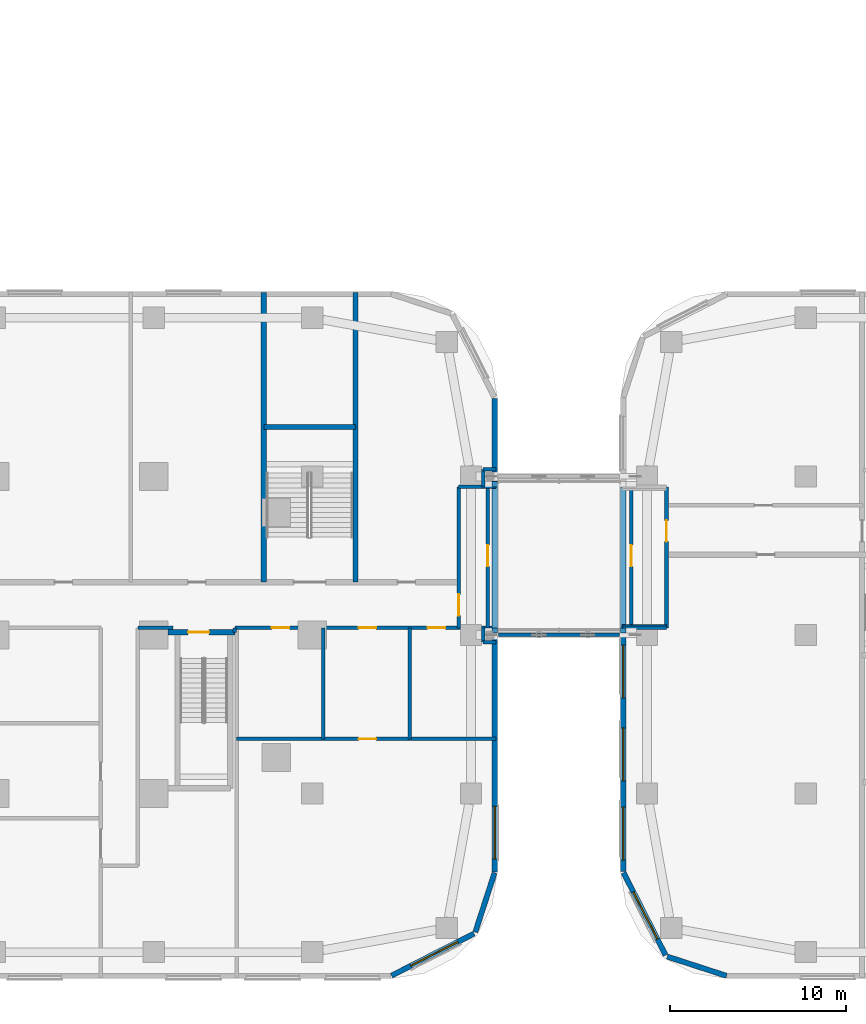
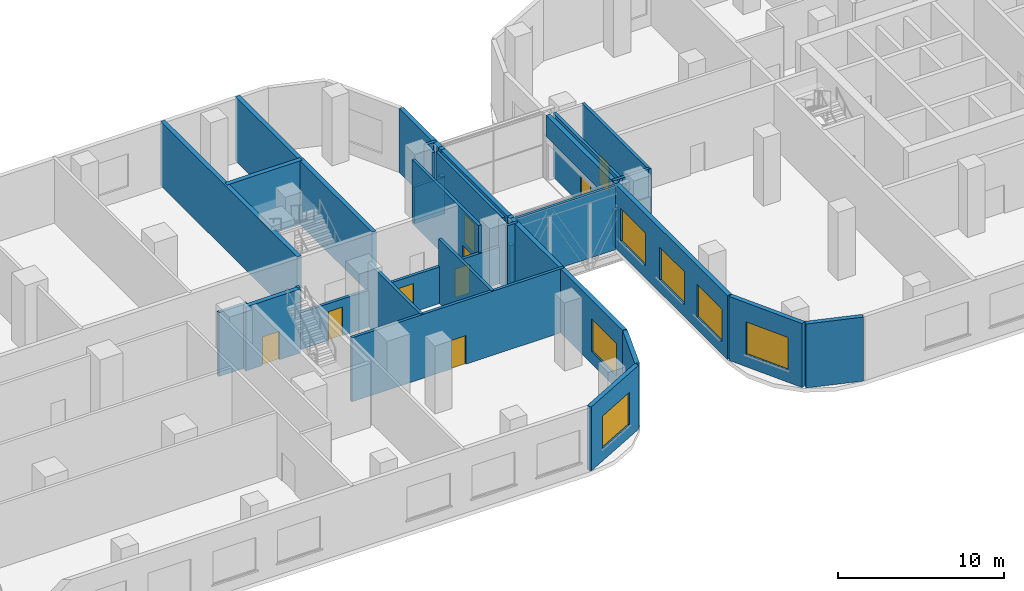
# One storey, part 11 of 35: 37 walls, 9 doors, 6 windows, 15 openings.
"""IFC4 building model written with IfcOpenShell, lengths in metres."""

from ifc_helpers import new_model, si_unit, direction, frame, frame_2d, origin, place, context, subcontext, project, spatial, rectangle, extrude, material, layer, layer_set, type_object, element, fill, save


model = new_model("IFC4")

# Units and contexts
model_context = context("Model", 3, precision=1e-05, world=origin(), true_north=direction((0.0, 1.0)))
body_context = subcontext(model_context, "Body", "Model", "MODEL_VIEW")
ifc_project = project(units=[si_unit("LENGTHUNIT", "METRE"), si_unit("AREAUNIT", "SQUARE_METRE"), si_unit("VOLUMEUNIT", "CUBIC_METRE"), si_unit("PLANEANGLEUNIT", "RADIAN"), si_unit("MASSUNIT", "GRAM", prefix="KILO")], contexts=[model_context])

# Site, building, storey
site_placement = place(None, origin())
site = spatial("IfcSite", under=ifc_project, at=site_placement, CompositionType="ELEMENT")
building_placement = place(site_placement, origin())
building = spatial("IfcBuilding", under=site, at=building_placement, Name="Ogive Portal Towers", CompositionType="ELEMENT")
storey_placement = place(building_placement, frame((0.0, 0.0, 18.5)))
storey = spatial("IfcBuildingStorey", under=building, at=storey_placement, Name="L03", CompositionType="ELEMENT", Elevation=18.5)

# Wall, opening, window
ifc_material_1 = material(Name="Limestone cladding on lightweight block wall", Category="masonry")
ifc_layer_1 = layer(ifc_material_1, 0.300048828125)
ifc_layer_set_1 = layer_set([ifc_layer_1], Name="EXTERNAL WALL 300 STONE")
wall_type_1 = type_object("IfcWallType", Name="EXTERNAL WALL 300 STONE", PredefinedType="SOLIDWALL", material=ifc_layer_set_1)
wall_1_placement = place(storey_placement, frame((98.99609375, 11.166259765625, 0.0), z_axis=(0.0, 0.0, 1.0), x_axis=(0.890998339455, 0.454006562826, 0.0)))
wall_1 = element("IfcWall", 1, at=wall_1_placement, inside=storey, type_object=wall_type_1, Name="A:L03:f03:w0", PredefinedType="SOLIDWALL", context=body_context, shape_type="SweptSolid", body=[
    extrude(rectangle(XDim=5.251708984375, YDim=0.300048828125, at=frame_2d((2.6259765625, 0.0))), origin(), (0.0, 0.0, 1.0), 4.699951171875),
])
opening_1_placement = place(wall_1_placement, frame((1.223876953125, 0.0, 0.89990234375)))
opening_1 = element("IfcOpeningElement", 2, at=opening_1_placement, cuts=wall_1, Name="Opening WN3", PredefinedType="OPENING", context=body_context, shape_type="SweptSolid", body=[
    extrude(rectangle(XDim=3.0, YDim=2.39990234375, at=frame_2d((1.5, 1.199951171875))), frame((0.0, 0.16015625, 0.0), z_axis=(0.0, -1.0, 0.0), x_axis=(1.0, 0.0, 0.0)), (0.0, 0.0, 1.0), 0.320068359375),
])
ifc_material_2 = material(Name="Glass, clear low-iron insulated glazing", Category="glass")
window_type = type_object("IfcWindowType", Name="WINDOW PODIUM 3000x2400", PartitioningType="SINGLE_PANEL", PredefinedType="WINDOW", material=ifc_material_2)
window_1_placement = place(opening_1_placement, origin())
window_1 = element("IfcWindow", 3, at=window_1_placement, inside=storey, type_object=window_type, Name="A:L03:f03:w0:o0", OverallHeight=2.39990234375, OverallWidth=3.0, PartitioningType="SINGLE_PANEL", PredefinedType="WINDOW", context=body_context, shape_type="SweptSolid", body=[
    extrude(rectangle(XDim=3.0, YDim=2.39990234375, at=frame_2d((1.5, 1.199951171875))), frame((0.0, 0.030029296875, 0.0), z_axis=(0.0, -1.0, 0.0), x_axis=(1.0, 0.0, 0.0)), (0.0, 0.0, 1.0), 0.06005859375),
])
fill(opening_1, window_1)

# Walls
wall_2_placement = place(storey_placement, frame((103.749755859375, 13.637939453125, 0.0), z_axis=(0.0, 0.0, 1.0), x_axis=(0.309073584194, 0.951038127287, 0.0)))
element("IfcWall", 4, at=wall_2_placement, inside=storey, type_object=wall_type_1, Name="A:L03:f04:w0", PredefinedType="SOLIDWALL", context=body_context, shape_type="SweptSolid", body=[
    extrude(rectangle(XDim=3.536376953125, YDim=0.300048828125, at=frame_2d((1.76806640625, 0.0))), origin(), (0.0, 0.0, 1.0), 4.699951171875),
])
wall_3_placement = place(storey_placement, frame((104.85009765625, 30.89990234375, 3.14990234375), z_axis=(0.0, 0.0, 1.0), x_axis=(0.0, 1.0, 0.0)))
element("IfcWall", 5, at=wall_3_placement, inside=storey, type_object=wall_type_1, Name="A:L03:f05:lt", PredefinedType="SOLIDWALL", context=body_context, shape_type="SweptSolid", body=[
    extrude(rectangle(XDim=8.0, YDim=0.300048828125, at=frame_2d((4.0, 0.0))), origin(), (0.0, 0.0, 1.0), 1.550048828125),
])

# Wall, opening, window
wall_4_placement = place(storey_placement, frame((104.85009765625, 17.047607421875, 0.0), z_axis=(0.0, 0.0, 1.0), x_axis=(0.0, 1.0, 0.0)))
wall_4 = element("IfcWall", 6, at=wall_4_placement, inside=storey, type_object=wall_type_1, Name="A:L03:f05:w0", PredefinedType="SOLIDWALL", context=body_context, shape_type="SweptSolid", body=[
    extrude(rectangle(XDim=13.552490234375, YDim=0.300048828125, at=frame_2d((6.7763671875, 0.0))), origin(), (0.0, 0.0, 1.0), 4.699951171875),
])
opening_2_placement = place(wall_4_placement, frame((0.726318359375, 0.0, 0.89990234375)))
opening_2 = element("IfcOpeningElement", 7, at=opening_2_placement, cuts=wall_4, Name="Opening WN3", PredefinedType="OPENING", context=body_context, shape_type="SweptSolid", body=[
    extrude(rectangle(XDim=3.0, YDim=2.39990234375, at=frame_2d((1.5, 1.199951171875))), frame((0.0, 0.16015625, 0.0), z_axis=(0.0, -1.0, 0.0), x_axis=(1.0, 0.0, 0.0)), (0.0, 0.0, 1.0), 0.320068359375),
])
window_2_placement = place(opening_2_placement, origin())
window_2 = element("IfcWindow", 8, at=window_2_placement, inside=storey, type_object=window_type, Name="A:L03:f05:w0:o0", OverallHeight=2.39990234375, OverallWidth=3.0, PartitioningType="SINGLE_PANEL", PredefinedType="WINDOW", context=body_context, shape_type="SweptSolid", body=[
    extrude(rectangle(XDim=3.0, YDim=2.39990234375, at=frame_2d((1.5, 1.199951171875))), frame((0.0, 0.030029296875, 0.0), z_axis=(0.0, -1.0, 0.0), x_axis=(1.0, 0.0, 0.0)), (0.0, 0.0, 1.0), 0.06005859375),
])
fill(opening_2, window_2)

# Wall
wall_5_placement = place(storey_placement, frame((104.85009765625, 39.199951171875, 0.0), z_axis=(0.0, 0.0, 1.0), x_axis=(0.0, 1.0, 0.0)))
element("IfcWall", 9, at=wall_5_placement, inside=storey, type_object=wall_type_1, Name="A:L03:f05:w1", PredefinedType="SOLIDWALL", context=body_context, shape_type="SweptSolid", body=[
    extrude(rectangle(XDim=4.72802734375, YDim=0.300048828125, at=frame_2d((2.364013671875, 0.0))), origin(), (0.0, 0.0, 1.0), 4.699951171875),
])

# Wall, opening, window
wall_6_placement = place(storey_placement, frame((112.166259765625, 17.00390625, 0.0), z_axis=(0.0, 0.0, 1.0), x_axis=(0.454006562826, -0.890998339455, 0.0)))
wall_6 = element("IfcWall", 10, at=wall_6_placement, inside=storey, type_object=wall_type_1, Name="B:L03:f00:w0", PredefinedType="SOLIDWALL", context=body_context, shape_type="SweptSolid", body=[
    extrude(rectangle(XDim=5.251708984375, YDim=0.300048828125, at=frame_2d((2.6259765625, 0.0))), origin(), (0.0, 0.0, 1.0), 4.699951171875),
])
opening_3_placement = place(wall_6_placement, frame((1.223876953125, 0.0, 0.89990234375)))
opening_3 = element("IfcOpeningElement", 11, at=opening_3_placement, cuts=wall_6, Name="Opening WN3", PredefinedType="OPENING", context=body_context, shape_type="SweptSolid", body=[
    extrude(rectangle(XDim=3.0, YDim=2.39990234375, at=frame_2d((1.5, 1.199951171875))), frame((0.0, 0.16015625, 0.0), z_axis=(0.0, -1.0, 0.0), x_axis=(1.0, 0.0, 0.0)), (0.0, 0.0, 1.0), 0.320068359375),
])
window_3_placement = place(opening_3_placement, origin())
window_3 = element("IfcWindow", 12, at=window_3_placement, inside=storey, type_object=window_type, Name="B:L03:f00:w0:o0", OverallHeight=2.39990234375, OverallWidth=3.0, PartitioningType="SINGLE_PANEL", PredefinedType="WINDOW", context=body_context, shape_type="SweptSolid", body=[
    extrude(rectangle(XDim=3.0, YDim=2.39990234375, at=frame_2d((1.5, 1.199951171875))), frame((0.0, 0.030029296875, 0.0), z_axis=(0.0, -1.0, 0.0), x_axis=(1.0, 0.0, 0.0)), (0.0, 0.0, 1.0), 0.06005859375),
])
fill(opening_3, window_3)

# Walls
wall_7_placement = place(storey_placement, frame((114.637939453125, 12.250244140625, 0.0), z_axis=(0.0, 0.0, 1.0), x_axis=(0.951038127287, -0.309073584194, 0.0)))
element("IfcWall", 13, at=wall_7_placement, inside=storey, type_object=wall_type_1, Name="B:L03:f01:w0", PredefinedType="SOLIDWALL", context=body_context, shape_type="SweptSolid", body=[
    extrude(rectangle(XDim=3.536376953125, YDim=0.300048828125, at=frame_2d((1.76806640625, 0.0))), origin(), (0.0, 0.0, 1.0), 4.699951171875),
])
wall_8_placement = place(storey_placement, frame((112.14990234375, 38.89990234375, 3.14990234375), z_axis=(0.0, 0.0, 1.0), x_axis=(0.0, -1.0, 0.0)))
element("IfcWall", 14, at=wall_8_placement, inside=storey, type_object=wall_type_1, Name="B:L03:f11:lt", PredefinedType="SOLIDWALL", context=body_context, shape_type="SweptSolid", body=[
    extrude(rectangle(XDim=8.0, YDim=0.300048828125, at=frame_2d((4.0, 0.0))), origin(), (0.0, 0.0, 1.0), 1.550048828125),
])

# Wall, openings, windows
wall_9_placement = place(storey_placement, frame((112.14990234375, 30.60009765625, 0.0), z_axis=(0.0, 0.0, 1.0), x_axis=(0.0, -1.0, 0.0)))
wall_9 = element("IfcWall", 15, at=wall_9_placement, inside=storey, type_object=wall_type_1, Name="B:L03:f11:w1", PredefinedType="SOLIDWALL", context=body_context, shape_type="SweptSolid", body=[
    extrude(rectangle(XDim=13.528076171875, YDim=0.300048828125, at=frame_2d((6.76416015625, 0.0))), origin(), (0.0, 0.0, 1.0), 4.699951171875),
])
opening_4_placement = place(wall_9_placement, frame((0.67626953125, 0.0, 0.89990234375)))
opening_4 = element("IfcOpeningElement", 16, at=opening_4_placement, cuts=wall_9, Name="Opening WN3", PredefinedType="OPENING", context=body_context, shape_type="SweptSolid", body=[
    extrude(rectangle(XDim=3.0, YDim=2.39990234375, at=frame_2d((1.5, 1.199951171875))), frame((0.0, 0.16015625, 0.0), z_axis=(0.0, -1.0, 0.0), x_axis=(1.0, 0.0, 0.0)), (0.0, 0.0, 1.0), 0.320068359375),
])
opening_5_placement = place(wall_9_placement, frame((5.376220703125, 0.0, 0.89990234375)))
opening_5 = element("IfcOpeningElement", 17, at=opening_5_placement, cuts=wall_9, Name="Opening WN3", PredefinedType="OPENING", context=body_context, shape_type="SweptSolid", body=[
    extrude(rectangle(XDim=3.0, YDim=2.39990234375, at=frame_2d((1.5, 1.199951171875))), frame((0.0, 0.16015625, 0.0), z_axis=(0.0, -1.0, 0.0), x_axis=(1.0, 0.0, 0.0)), (0.0, 0.0, 1.0), 0.320068359375),
])
opening_6_placement = place(wall_9_placement, frame((9.876220703125, 0.0, 0.89990234375)))
opening_6 = element("IfcOpeningElement", 18, at=opening_6_placement, cuts=wall_9, Name="Opening WN3", PredefinedType="OPENING", context=body_context, shape_type="SweptSolid", body=[
    extrude(rectangle(XDim=3.0, YDim=2.39990234375, at=frame_2d((1.5, 1.199951171875))), frame((0.0, 0.16015625, 0.0), z_axis=(0.0, -1.0, 0.0), x_axis=(1.0, 0.0, 0.0)), (0.0, 0.0, 1.0), 0.320068359375),
])
window_4_placement = place(opening_4_placement, origin())
window_4 = element("IfcWindow", 19, at=window_4_placement, inside=storey, type_object=window_type, Name="B:L03:f11:w1:o0", OverallHeight=2.39990234375, OverallWidth=3.0, PartitioningType="SINGLE_PANEL", PredefinedType="WINDOW", context=body_context, shape_type="SweptSolid", body=[
    extrude(rectangle(XDim=3.0, YDim=2.39990234375, at=frame_2d((1.5, 1.199951171875))), frame((0.0, 0.030029296875, 0.0), z_axis=(0.0, -1.0, 0.0), x_axis=(1.0, 0.0, 0.0)), (0.0, 0.0, 1.0), 0.06005859375),
])
fill(opening_4, window_4)
window_5_placement = place(opening_5_placement, origin())
window_5 = element("IfcWindow", 20, at=window_5_placement, inside=storey, type_object=window_type, Name="B:L03:f11:w1:o1a", OverallHeight=2.39990234375, OverallWidth=3.0, PartitioningType="SINGLE_PANEL", PredefinedType="WINDOW", context=body_context, shape_type="SweptSolid", body=[
    extrude(rectangle(XDim=3.0, YDim=2.39990234375, at=frame_2d((1.5, 1.199951171875))), frame((0.0, 0.030029296875, 0.0), z_axis=(0.0, -1.0, 0.0), x_axis=(1.0, 0.0, 0.0)), (0.0, 0.0, 1.0), 0.06005859375),
])
fill(opening_5, window_5)
window_6_placement = place(opening_6_placement, origin())
window_6 = element("IfcWindow", 21, at=window_6_placement, inside=storey, type_object=window_type, Name="B:L03:f11:w1:o1b", OverallHeight=2.39990234375, OverallWidth=3.0, PartitioningType="SINGLE_PANEL", PredefinedType="WINDOW", context=body_context, shape_type="SweptSolid", body=[
    extrude(rectangle(XDim=3.0, YDim=2.39990234375, at=frame_2d((1.5, 1.199951171875))), frame((0.0, 0.030029296875, 0.0), z_axis=(0.0, -1.0, 0.0), x_axis=(1.0, 0.0, 0.0)), (0.0, 0.0, 1.0), 0.06005859375),
])
fill(opening_6, window_6)

# Walls
wall_10_placement = place(storey_placement, frame((104.85009765625, 30.60009765625, 0.0), z_axis=(0.0, 0.0, 1.0), x_axis=(0.0, 1.0, 0.0)))
element("IfcWall", 22, at=wall_10_placement, inside=storey, type_object=wall_type_1, Name="Pier return", PredefinedType="SOLIDWALL", context=body_context, shape_type="SweptSolid", body=[
    extrude(rectangle(XDim=0.2998046875, YDim=0.300048828125, at=frame_2d((0.14990234375, 0.0))), origin(), (0.0, 0.0, 1.0), 2.699951171875),
])
wall_11_placement = place(storey_placement, frame((104.85009765625, 30.60009765625, 3.14990234375), z_axis=(0.0, 0.0, 1.0), x_axis=(0.0, 1.0, 0.0)))
element("IfcWall", 23, at=wall_11_placement, inside=storey, type_object=wall_type_1, Name="Pier return", PredefinedType="SOLIDWALL", context=body_context, shape_type="SweptSolid", body=[
    extrude(rectangle(XDim=0.2998046875, YDim=0.300048828125, at=frame_2d((0.14990234375, 0.0))), origin(), (0.0, 0.0, 1.0), 1.550048828125),
])
wall_12_placement = place(storey_placement, frame((104.85009765625, 39.199951171875, 0.0), z_axis=(0.0, 0.0, 1.0), x_axis=(0.0, -1.0, 0.0)))
element("IfcWall", 24, at=wall_12_placement, inside=storey, type_object=wall_type_1, Name="Pier return", PredefinedType="SOLIDWALL", context=body_context, shape_type="SweptSolid", body=[
    extrude(rectangle(XDim=0.300048828125, YDim=0.300048828125, at=frame_2d((0.14990234375, 0.0))), origin(), (0.0, 0.0, 1.0), 2.699951171875),
])
wall_13_placement = place(storey_placement, frame((104.85009765625, 39.199951171875, 3.14990234375), z_axis=(0.0, 0.0, 1.0), x_axis=(0.0, -1.0, 0.0)))
element("IfcWall", 25, at=wall_13_placement, inside=storey, type_object=wall_type_1, Name="Pier return", PredefinedType="SOLIDWALL", context=body_context, shape_type="SweptSolid", body=[
    extrude(rectangle(XDim=0.300048828125, YDim=0.300048828125, at=frame_2d((0.14990234375, 0.0))), origin(), (0.0, 0.0, 1.0), 1.550048828125),
])
wall_14_placement = place(storey_placement, frame((112.14990234375, 30.60009765625, 0.0), z_axis=(0.0, 0.0, 1.0), x_axis=(0.0, 1.0, 0.0)))
element("IfcWall", 26, at=wall_14_placement, inside=storey, type_object=wall_type_1, Name="Pier return", PredefinedType="SOLIDWALL", context=body_context, shape_type="SweptSolid", body=[
    extrude(rectangle(XDim=0.2998046875, YDim=0.300048828125, at=frame_2d((0.14990234375, 0.0))), origin(), (0.0, 0.0, 1.0), 2.699951171875),
])
wall_15_placement = place(storey_placement, frame((112.14990234375, 30.60009765625, 3.14990234375), z_axis=(0.0, 0.0, 1.0), x_axis=(0.0, 1.0, 0.0)))
element("IfcWall", 27, at=wall_15_placement, inside=storey, type_object=wall_type_1, Name="Pier return", PredefinedType="SOLIDWALL", context=body_context, shape_type="SweptSolid", body=[
    extrude(rectangle(XDim=0.2998046875, YDim=0.300048828125, at=frame_2d((0.14990234375, 0.0))), origin(), (0.0, 0.0, 1.0), 1.550048828125),
])

# Wall, opening, door
ifc_material_3 = material(Name="Concrete C50/60", Category="concrete")
ifc_layer_2 = layer(ifc_material_3, 0.300048828125)
ifc_layer_set_2 = layer_set([ifc_layer_2], Name="STAIR WALL 300 C50")
wall_type_2 = type_object("IfcWallType", Name="STAIR WALL 300 C50", PredefinedType="SHEAR", material=ifc_layer_set_2)
wall_16_placement = place(storey_placement, frame((86.300048828125, 30.64990234375, 0.0), z_axis=(0.0, 0.0, 1.0), x_axis=(1.0, 0.0, 0.0)))
wall_16 = element("IfcWall", 28, at=wall_16_placement, inside=storey, type_object=wall_type_2, Name="Stair wall ST-A4 L03", PredefinedType="SHEAR", context=body_context, shape_type="SweptSolid", body=[
    extrude(rectangle(XDim=3.800048828125, YDim=0.300048828125, at=frame_2d((1.89990234375, 0.0))), origin(), (0.0, 0.0, 1.0), 4.699951171875),
])
opening_7_placement = place(wall_16_placement, frame((1.14990234375, 0.0, 0.0)))
opening_7 = element("IfcOpeningElement", 29, at=opening_7_placement, cuts=wall_16, Name="Opening P03-002", PredefinedType="OPENING", context=body_context, shape_type="SweptSolid", body=[
    extrude(rectangle(XDim=1.199951171875, YDim=2.10009765625, at=frame_2d((0.60009765625, 1.050048828125))), frame((0.0, 0.16015625, 0.0), z_axis=(0.0, -1.0, 0.0), x_axis=(1.0, 0.0, 0.0)), (0.0, 0.0, 1.0), 0.320068359375),
])
ifc_material_4 = material(Name="Steel fire door", Category="steel")
door_type_1 = type_object("IfcDoorType", Name="DT-SWING-1200x2100-FD90S", OperationType="SINGLE_SWING_LEFT", PredefinedType="DOOR", material=ifc_material_4)
door_1_placement = place(opening_7_placement, origin())
door_1 = element("IfcDoor", 30, at=door_1_placement, inside=storey, type_object=door_type_1, Name="Door P03-002", OperationType="SINGLE_SWING_RIGHT", OverallHeight=2.10009765625, OverallWidth=1.199951171875, PredefinedType="DOOR", context=body_context, shape_type="SweptSolid", body=[
    extrude(rectangle(XDim=1.199951171875, YDim=2.10009765625, at=frame_2d((0.60009765625, 1.050048828125))), frame((0.0, 0.02490234375, 0.0), z_axis=(0.0, -1.0, 0.0), x_axis=(1.0, 0.0, 0.0)), (0.0, 0.0, 1.0), 0.050048828125),
])
fill(opening_7, door_1)

# Walls
wall_17_placement = place(storey_placement, frame((91.75, 42.300048828125, 0.0), z_axis=(0.0, 0.0, 1.0), x_axis=(1.0, 0.0, 0.0)))
element("IfcWall", 31, at=wall_17_placement, inside=storey, type_object=wall_type_2, Name="Stair wall ST-P1 L03", PredefinedType="SHEAR", context=body_context, shape_type="SweptSolid", body=[
    extrude(rectangle(XDim=5.199951171875, YDim=0.300048828125, at=frame_2d((2.60009765625, 0.0))), origin(), (0.0, 0.0, 1.0), 4.699951171875),
])
for number, where, z_axis, x_axis, name in (
    (32, (91.75, 33.5, 0.0), (0.0, 0.0, 1.0), (0.0, 1.0, 0.0), "Stair wall ST-P1 L03"),
    (33, (96.949951171875, 33.5, 0.0), (0.0, 0.0, 1.0), (0.0, 1.0, 0.0), "Stair wall ST-P1 L03"),
):
    element("IfcWall", number, at=place(storey_placement, frame(where, z_axis=z_axis, x_axis=x_axis)), inside=storey, type_object=wall_type_2, Name=name, PredefinedType="SHEAR", context=body_context, shape_type="SweptSolid", body=[
        extrude(rectangle(XDim=16.429931640625, YDim=0.300048828125, at=frame_2d((8.21484375, 0.0))), origin(), (0.0, 0.0, 1.0), 4.699951171875),
    ])

# Wall, opening, door
ifc_material_5 = material(Name="Gypsum board partition on steel studs", Category="steel")
ifc_layer_3 = layer(ifc_material_5, 0.199951171875)
ifc_layer_set_3 = layer_set([ifc_layer_3], Name="WT-PART-200-EI 60")
wall_type_3 = type_object("IfcWallType", Name="WT-PART-200-EI 60", PredefinedType="PARTITIONING", material=ifc_layer_set_3)
wall_18_placement = place(storey_placement, frame((90.199951171875, 24.60009765625, 0.0), z_axis=(0.0, 0.0, 1.0), x_axis=(1.0, 0.0, 0.0)))
wall_18 = element("IfcWall", 34, at=wall_18_placement, inside=storey, type_object=wall_type_3, Name="Wall L03:w010", PredefinedType="PARTITIONING", context=body_context, shape_type="SweptSolid", body=[
    extrude(rectangle(XDim=14.72998046875, YDim=0.199951171875, at=frame_2d((7.364990234375, 0.0))), origin(), (0.0, 0.0, 1.0), 4.699951171875),
])
opening_8_placement = place(wall_18_placement, frame((6.925048828125, 0.0, 0.0)))
opening_8 = element("IfcOpeningElement", 35, at=opening_8_placement, cuts=wall_18, Name="Opening P03-017", PredefinedType="OPENING", context=body_context, shape_type="SweptSolid", body=[
    extrude(rectangle(XDim=1.0, YDim=2.10009765625, at=frame_2d((0.5, 1.050048828125))), frame((0.0, 0.10986328125, 0.0), z_axis=(0.0, -1.0, 0.0), x_axis=(1.0, 0.0, 0.0)), (0.0, 0.0, 1.0), 0.219970703125),
])
door_type_2 = type_object("IfcDoorType", Name="DT-SWING-1000x2100-FD60S", OperationType="SINGLE_SWING_LEFT", PredefinedType="DOOR", material=ifc_material_4)
door_2_placement = place(opening_8_placement, origin())
door_2 = element("IfcDoor", 36, at=door_2_placement, inside=storey, type_object=door_type_2, Name="Door P03-017", OperationType="SINGLE_SWING_LEFT", OverallHeight=2.10009765625, OverallWidth=1.0, PredefinedType="DOOR", context=body_context, shape_type="SweptSolid", body=[
    extrude(rectangle(XDim=1.0, YDim=2.10009765625, at=frame_2d((0.5, 1.050048828125))), frame((0.0, 0.02490234375, 0.0), z_axis=(0.0, -1.0, 0.0), x_axis=(1.0, 0.0, 0.0)), (0.0, 0.0, 1.0), 0.050048828125),
])
fill(opening_8, door_2)

# Walls
wall_19_placement = place(storey_placement, frame((104.199951171875, 30.10009765625, 0.0), z_axis=(0.0, 0.0, 1.0), x_axis=(1.0, 0.0, 0.0)))
element("IfcWall", 37, at=wall_19_placement, inside=storey, type_object=wall_type_3, Name="Wall L03:w013", PredefinedType="PARTITIONING", context=body_context, shape_type="SweptSolid", body=[
    extrude(rectangle(XDim=0.72998046875, YDim=0.199951171875, at=frame_2d((0.364990234375, 0.0))), origin(), (0.0, 0.0, 1.0), 4.699951171875),
])
wall_20_placement = place(storey_placement, frame((105.070068359375, 30.5, 0.0), z_axis=(0.0, 0.0, 1.0), x_axis=(1.0, 0.0, 0.0)))
element("IfcWall", 38, at=wall_20_placement, inside=storey, type_object=wall_type_3, Name="Wall L03:w014", PredefinedType="PARTITIONING", context=body_context, shape_type="SweptSolid", body=[
    extrude(rectangle(XDim=6.85986328125, YDim=0.199951171875, at=frame_2d((3.429931640625, 0.0))), origin(), (0.0, 0.0, 1.0), 4.699951171875),
])
wall_21_placement = place(storey_placement, frame((84.60009765625, 30.89990234375, 0.0), z_axis=(0.0, 0.0, 1.0), x_axis=(1.0, 0.0, 0.0)))
element("IfcWall", 39, at=wall_21_placement, inside=storey, type_object=wall_type_3, Name="Wall L03:w017", PredefinedType="PARTITIONING", context=body_context, shape_type="SweptSolid", body=[
    extrude(rectangle(XDim=2.0, YDim=0.199951171875, at=frame_2d((1.0, 0.0))), origin(), (0.0, 0.0, 1.0), 4.699951171875),
])

# Wall, openings, doors
wall_22_placement = place(storey_placement, frame((90.10009765625, 30.89990234375, 0.0), z_axis=(0.0, 0.0, 1.0), x_axis=(1.0, 0.0, 0.0)))
wall_22 = element("IfcWall", 40, at=wall_22_placement, inside=storey, type_object=wall_type_3, Name="Wall L03:w018", PredefinedType="PARTITIONING", context=body_context, shape_type="SweptSolid", body=[
    extrude(rectangle(XDim=14.829833984375, YDim=0.199951171875, at=frame_2d((7.4150390625, 0.0))), origin(), (0.0, 0.0, 1.0), 2.699951171875),
])
opening_9_placement = place(wall_22_placement, frame((2.10400390625, 0.0, 0.0)))
opening_9 = element("IfcOpeningElement", 41, at=opening_9_placement, cuts=wall_22, Name="Opening P03-014", PredefinedType="OPENING", context=body_context, shape_type="SweptSolid", body=[
    extrude(rectangle(XDim=1.0, YDim=2.10009765625, at=frame_2d((0.5, 1.050048828125))), frame((0.0, 0.10986328125, 0.0), z_axis=(0.0, -1.0, 0.0), x_axis=(1.0, 0.0, 0.0)), (0.0, 0.0, 1.0), 0.219970703125),
])
opening_10_placement = place(wall_22_placement, frame((7.02099609375, 0.0, 0.0)))
opening_10 = element("IfcOpeningElement", 42, at=opening_10_placement, cuts=wall_22, Name="Opening P03-015", PredefinedType="OPENING", context=body_context, shape_type="SweptSolid", body=[
    extrude(rectangle(XDim=1.0, YDim=2.10009765625, at=frame_2d((0.5, 1.050048828125))), frame((0.0, 0.10986328125, 0.0), z_axis=(0.0, -1.0, 0.0), x_axis=(1.0, 0.0, 0.0)), (0.0, 0.0, 1.0), 0.219970703125),
])
opening_11_placement = place(wall_22_placement, frame((10.945068359375, 0.0, 0.0)))
opening_11 = element("IfcOpeningElement", 43, at=opening_11_placement, cuts=wall_22, Name="Opening P03-016", PredefinedType="OPENING", context=body_context, shape_type="SweptSolid", body=[
    extrude(rectangle(XDim=1.0, YDim=2.10009765625, at=frame_2d((0.5, 1.050048828125))), frame((0.0, 0.10986328125, 0.0), z_axis=(0.0, -1.0, 0.0), x_axis=(1.0, 0.0, 0.0)), (0.0, 0.0, 1.0), 0.219970703125),
])
door_3_placement = place(opening_9_placement, origin())
door_3 = element("IfcDoor", 44, at=door_3_placement, inside=storey, type_object=door_type_2, Name="Door P03-014", OperationType="SINGLE_SWING_RIGHT", OverallHeight=2.10009765625, OverallWidth=1.0, PredefinedType="DOOR", context=body_context, shape_type="SweptSolid", body=[
    extrude(rectangle(XDim=1.0, YDim=2.10009765625, at=frame_2d((0.5, 1.050048828125))), frame((0.0, 0.02490234375, 0.0), z_axis=(0.0, -1.0, 0.0), x_axis=(1.0, 0.0, 0.0)), (0.0, 0.0, 1.0), 0.050048828125),
])
fill(opening_9, door_3)
door_4_placement = place(opening_10_placement, origin())
door_4 = element("IfcDoor", 45, at=door_4_placement, inside=storey, type_object=door_type_2, Name="Door P03-015", OperationType="SINGLE_SWING_LEFT", OverallHeight=2.10009765625, OverallWidth=1.0, PredefinedType="DOOR", context=body_context, shape_type="SweptSolid", body=[
    extrude(rectangle(XDim=1.0, YDim=2.10009765625, at=frame_2d((0.5, 1.050048828125))), frame((0.0, 0.02490234375, 0.0), z_axis=(0.0, -1.0, 0.0), x_axis=(1.0, 0.0, 0.0)), (0.0, 0.0, 1.0), 0.050048828125),
])
fill(opening_10, door_4)
door_5_placement = place(opening_11_placement, origin())
door_5 = element("IfcDoor", 46, at=door_5_placement, inside=storey, type_object=door_type_2, Name="Door P03-016", OperationType="SINGLE_SWING_RIGHT", OverallHeight=2.10009765625, OverallWidth=1.0, PredefinedType="DOOR", context=body_context, shape_type="SweptSolid", body=[
    extrude(rectangle(XDim=1.0, YDim=2.10009765625, at=frame_2d((0.5, 1.050048828125))), frame((0.0, 0.02490234375, 0.0), z_axis=(0.0, -1.0, 0.0), x_axis=(1.0, 0.0, 0.0)), (0.0, 0.0, 1.0), 0.050048828125),
])
fill(opening_11, door_5)

# Walls
wall_23_placement = place(storey_placement, frame((112.10009765625, 30.89990234375, 0.0), z_axis=(0.0, 0.0, 1.0), x_axis=(1.0, 0.0, 0.0)))
element("IfcWall", 47, at=wall_23_placement, inside=storey, type_object=wall_type_3, Name="Wall L03:w019", PredefinedType="PARTITIONING", context=body_context, shape_type="SweptSolid", body=[
    extrude(rectangle(XDim=2.5, YDim=0.199951171875, at=frame_2d((1.25, 0.0))), origin(), (0.0, 0.0, 1.0), 2.699951171875),
])
wall_24_placement = place(storey_placement, frame((112.070068359375, 31.0, 0.0), z_axis=(0.0, 0.0, 1.0), x_axis=(1.0, 0.0, 0.0)))
element("IfcWall", 48, at=wall_24_placement, inside=storey, type_object=wall_type_3, Name="Wall L03:w020", PredefinedType="PARTITIONING", context=body_context, shape_type="SweptSolid", body=[
    extrude(rectangle(XDim=2.530029296875, YDim=0.199951171875, at=frame_2d((1.26513671875, 0.0))), origin(), (0.0, 0.0, 1.0), 4.699951171875),
])
wall_25_placement = place(storey_placement, frame((102.800048828125, 38.89990234375, 0.0), z_axis=(0.0, 0.0, 1.0), x_axis=(1.0, 0.0, 0.0)))
element("IfcWall", 49, at=wall_25_placement, inside=storey, type_object=wall_type_3, Name="Wall L03:w027", PredefinedType="PARTITIONING", context=body_context, shape_type="SweptSolid", body=[
    extrude(rectangle(XDim=2.1298828125, YDim=0.199951171875, at=frame_2d((1.06494140625, 0.0))), origin(), (0.0, 0.0, 1.0), 2.699951171875),
])
wall_26_placement = place(storey_placement, frame((104.199951171875, 39.89990234375, 0.0), z_axis=(0.0, 0.0, 1.0), x_axis=(1.0, 0.0, 0.0)))
element("IfcWall", 50, at=wall_26_placement, inside=storey, type_object=wall_type_3, Name="Wall L03:w035", PredefinedType="PARTITIONING", context=body_context, shape_type="SweptSolid", body=[
    extrude(rectangle(XDim=0.72998046875, YDim=0.199951171875, at=frame_2d((0.364990234375, 0.0))), origin(), (0.0, 0.0, 1.0), 4.699951171875),
])
wall_27_placement = place(storey_placement, frame((100.032958984375, 24.60009765625, 0.0), z_axis=(0.0, 0.0, 1.0), x_axis=(0.0, 1.0, 0.0)))
element("IfcWall", 51, at=wall_27_placement, inside=storey, type_object=wall_type_3, Name="Wall L03:w057", PredefinedType="PARTITIONING", context=body_context, shape_type="SweptSolid", body=[
    extrude(rectangle(XDim=6.2998046875, YDim=0.199951171875, at=frame_2d((3.14990234375, 0.0))), origin(), (0.0, 0.0, 1.0), 4.699951171875),
])

# Wall, opening, door
wall_28_placement = place(storey_placement, frame((102.800048828125, 30.89990234375, 0.0), z_axis=(0.0, 0.0, 1.0), x_axis=(0.0, 1.0, 0.0)))
wall_28 = element("IfcWall", 52, at=wall_28_placement, inside=storey, type_object=wall_type_3, Name="Wall L03:w058", PredefinedType="PARTITIONING", context=body_context, shape_type="SweptSolid", body=[
    extrude(rectangle(XDim=8.0, YDim=0.199951171875, at=frame_2d((4.0, 0.0))), origin(), (0.0, 0.0, 1.0), 4.699951171875),
])
opening_12_placement = place(wall_28_placement, frame((0.699951171875, 0.0, 0.0)))
opening_12 = element("IfcOpeningElement", 53, at=opening_12_placement, cuts=wall_28, Name="Opening P03-010", PredefinedType="OPENING", context=body_context, shape_type="SweptSolid", body=[
    extrude(rectangle(XDim=1.199951171875, YDim=2.10009765625, at=frame_2d((0.60009765625, 1.050048828125))), frame((0.0, 0.10986328125, 0.0), z_axis=(0.0, -1.0, 0.0), x_axis=(1.0, 0.0, 0.0)), (0.0, 0.0, 1.0), 0.219970703125),
])
door_type_3 = type_object("IfcDoorType", Name="DT-SWING-1200x2100-FD60S", OperationType="SINGLE_SWING_LEFT", PredefinedType="DOOR", material=ifc_material_4)
door_6_placement = place(opening_12_placement, origin())
door_6 = element("IfcDoor", 54, at=door_6_placement, inside=storey, type_object=door_type_3, Name="Door P03-010", OperationType="SINGLE_SWING_RIGHT", OverallHeight=2.10009765625, OverallWidth=1.199951171875, PredefinedType="DOOR", context=body_context, shape_type="SweptSolid", body=[
    extrude(rectangle(XDim=1.199951171875, YDim=2.10009765625, at=frame_2d((0.60009765625, 1.050048828125))), frame((0.0, 0.02490234375, 0.0), z_axis=(0.0, -1.0, 0.0), x_axis=(1.0, 0.0, 0.0)), (0.0, 0.0, 1.0), 0.050048828125),
])
fill(opening_12, door_6)

# Walls
wall_29_placement = place(storey_placement, frame((104.199951171875, 30.10009765625, 0.0), z_axis=(0.0, 0.0, 1.0), x_axis=(0.0, 1.0, 0.0)))
element("IfcWall", 55, at=wall_29_placement, inside=storey, type_object=wall_type_3, Name="Wall L03:w059", PredefinedType="PARTITIONING", context=body_context, shape_type="SweptSolid", body=[
    extrude(rectangle(XDim=0.7998046875, YDim=0.199951171875, at=frame_2d((0.39990234375, 0.0))), origin(), (0.0, 0.0, 1.0), 4.699951171875),
])
wall_30_placement = place(storey_placement, frame((104.199951171875, 38.89990234375, 0.0), z_axis=(0.0, 0.0, 1.0), x_axis=(0.0, 1.0, 0.0)))
element("IfcWall", 56, at=wall_30_placement, inside=storey, type_object=wall_type_3, Name="Wall L03:w060", PredefinedType="PARTITIONING", context=body_context, shape_type="SweptSolid", body=[
    extrude(rectangle(XDim=1.0, YDim=0.199951171875, at=frame_2d((0.5, 0.0))), origin(), (0.0, 0.0, 1.0), 4.699951171875),
])

# Wall, opening, door
wall_31_placement = place(storey_placement, frame((104.449951171875, 30.89990234375, 0.0), z_axis=(0.0, 0.0, 1.0), x_axis=(0.0, 1.0, 0.0)))
wall_31 = element("IfcWall", 57, at=wall_31_placement, inside=storey, type_object=wall_type_3, Name="Wall L03:w061", PredefinedType="PARTITIONING", context=body_context, shape_type="SweptSolid", body=[
    extrude(rectangle(XDim=8.0, YDim=0.199951171875, at=frame_2d((4.0, 0.0))), origin(), (0.0, 0.0, 1.0), 4.699951171875),
])
opening_13_placement = place(wall_31_placement, frame((3.5, 0.0, 0.0)))
opening_13 = element("IfcOpeningElement", 58, at=opening_13_placement, cuts=wall_31, Name="Opening P03-050", PredefinedType="OPENING", context=body_context, shape_type="SweptSolid", body=[
    extrude(rectangle(XDim=1.199951171875, YDim=2.10009765625, at=frame_2d((0.60009765625, 1.050048828125))), frame((0.0, 0.10986328125, 0.0), z_axis=(0.0, -1.0, 0.0), x_axis=(1.0, 0.0, 0.0)), (0.0, 0.0, 1.0), 0.219970703125),
])
door_7_placement = place(opening_13_placement, origin())
door_7 = element("IfcDoor", 59, at=door_7_placement, inside=storey, type_object=door_type_3, Name="Door P03-050", OperationType="SINGLE_SWING_RIGHT", OverallHeight=2.10009765625, OverallWidth=1.199951171875, PredefinedType="DOOR", context=body_context, shape_type="SweptSolid", body=[
    extrude(rectangle(XDim=1.199951171875, YDim=2.10009765625, at=frame_2d((0.60009765625, 1.050048828125))), frame((0.0, 0.02490234375, 0.0), z_axis=(0.0, -1.0, 0.0), x_axis=(1.0, 0.0, 0.0)), (0.0, 0.0, 1.0), 0.050048828125),
])
fill(opening_13, door_7)

wall_32_placement = place(storey_placement, frame((112.60009765625, 30.89990234375, 0.0), z_axis=(0.0, 0.0, 1.0), x_axis=(0.0, 1.0, 0.0)))
wall_32 = element("IfcWall", 60, at=wall_32_placement, inside=storey, type_object=wall_type_3, Name="Wall L03:w062", PredefinedType="PARTITIONING", context=body_context, shape_type="SweptSolid", body=[
    extrude(rectangle(XDim=8.0, YDim=0.199951171875, at=frame_2d((4.0, 0.0))), origin(), (0.0, 0.0, 1.0), 4.699951171875),
])
opening_14_placement = place(wall_32_placement, frame((3.5, 0.0, 0.0)))
opening_14 = element("IfcOpeningElement", 61, at=opening_14_placement, cuts=wall_32, Name="Opening P03-051", PredefinedType="OPENING", context=body_context, shape_type="SweptSolid", body=[
    extrude(rectangle(XDim=1.199951171875, YDim=2.10009765625, at=frame_2d((0.60009765625, 1.050048828125))), frame((0.0, 0.10986328125, 0.0), z_axis=(0.0, -1.0, 0.0), x_axis=(1.0, 0.0, 0.0)), (0.0, 0.0, 1.0), 0.219970703125),
])
door_8_placement = place(opening_14_placement, origin())
door_8 = element("IfcDoor", 62, at=door_8_placement, inside=storey, type_object=door_type_3, Name="Door P03-051", OperationType="SINGLE_SWING_LEFT", OverallHeight=2.10009765625, OverallWidth=1.199951171875, PredefinedType="DOOR", context=body_context, shape_type="SweptSolid", body=[
    extrude(rectangle(XDim=1.199951171875, YDim=2.10009765625, at=frame_2d((0.60009765625, 1.050048828125))), frame((0.0, 0.02490234375, 0.0), z_axis=(0.0, -1.0, 0.0), x_axis=(1.0, 0.0, 0.0)), (0.0, 0.0, 1.0), 0.050048828125),
])
fill(opening_14, door_8)

wall_33_placement = place(storey_placement, frame((114.60009765625, 30.89990234375, 0.0), z_axis=(0.0, 0.0, 1.0), x_axis=(0.0, 1.0, 0.0)))
wall_33 = element("IfcWall", 63, at=wall_33_placement, inside=storey, type_object=wall_type_3, Name="Wall L03:w063", PredefinedType="PARTITIONING", context=body_context, shape_type="SweptSolid", body=[
    extrude(rectangle(XDim=8.0, YDim=0.199951171875, at=frame_2d((4.0, 0.0))), origin(), (0.0, 0.0, 1.0), 4.699951171875),
])
opening_15_placement = place(wall_33_placement, frame((4.89990234375, 0.0, 0.0)))
opening_15 = element("IfcOpeningElement", 64, at=opening_15_placement, cuts=wall_33, Name="Opening P03-040", PredefinedType="OPENING", context=body_context, shape_type="SweptSolid", body=[
    extrude(rectangle(XDim=1.199951171875, YDim=2.10009765625, at=frame_2d((0.60009765625, 1.050048828125))), frame((0.0, 0.10986328125, 0.0), z_axis=(0.0, -1.0, 0.0), x_axis=(1.0, 0.0, 0.0)), (0.0, 0.0, 1.0), 0.219970703125),
])
door_9_placement = place(opening_15_placement, origin())
door_9 = element("IfcDoor", 65, at=door_9_placement, inside=storey, type_object=door_type_3, Name="Door P03-040", OperationType="SINGLE_SWING_RIGHT", OverallHeight=2.10009765625, OverallWidth=1.199951171875, PredefinedType="DOOR", context=body_context, shape_type="SweptSolid", body=[
    extrude(rectangle(XDim=1.199951171875, YDim=2.10009765625, at=frame_2d((0.60009765625, 1.050048828125))), frame((0.0, 0.02490234375, 0.0), z_axis=(0.0, -1.0, 0.0), x_axis=(1.0, 0.0, 0.0)), (0.0, 0.0, 1.0), 0.050048828125),
])
fill(opening_15, door_9)

# Walls
wall_34_placement = place(storey_placement, frame((90.10009765625, 30.64990234375, 0.0), z_axis=(0.0, 0.0, 1.0), x_axis=(0.0, 1.0, 0.0)))
element("IfcWall", 66, at=wall_34_placement, inside=storey, type_object=wall_type_3, Name="Wall L03:w105", PredefinedType="PARTITIONING", context=body_context, shape_type="SweptSolid", body=[
    extrude(rectangle(XDim=0.25, YDim=0.199951171875, at=frame_2d((0.125, 0.0))), origin(), (0.0, 0.0, 1.0), 4.699951171875),
])
wall_35_placement = place(storey_placement, frame((95.116943359375, 24.60009765625, 0.0), z_axis=(0.0, 0.0, 1.0), x_axis=(0.0, 1.0, 0.0)))
element("IfcWall", 67, at=wall_35_placement, inside=storey, type_object=wall_type_3, Name="Wall L03:w108", PredefinedType="PARTITIONING", context=body_context, shape_type="SweptSolid", body=[
    extrude(rectangle(XDim=6.2998046875, YDim=0.199951171875, at=frame_2d((3.14990234375, 0.0))), origin(), (0.0, 0.0, 1.0), 4.699951171875),
])

save(model, "model.ifc")
